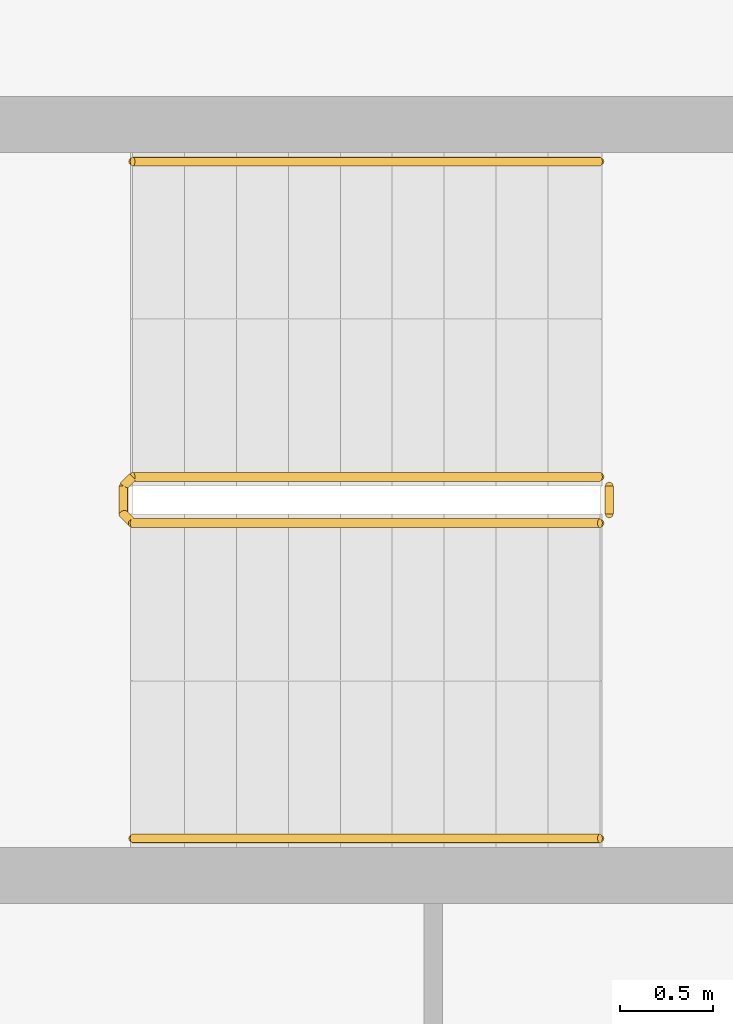
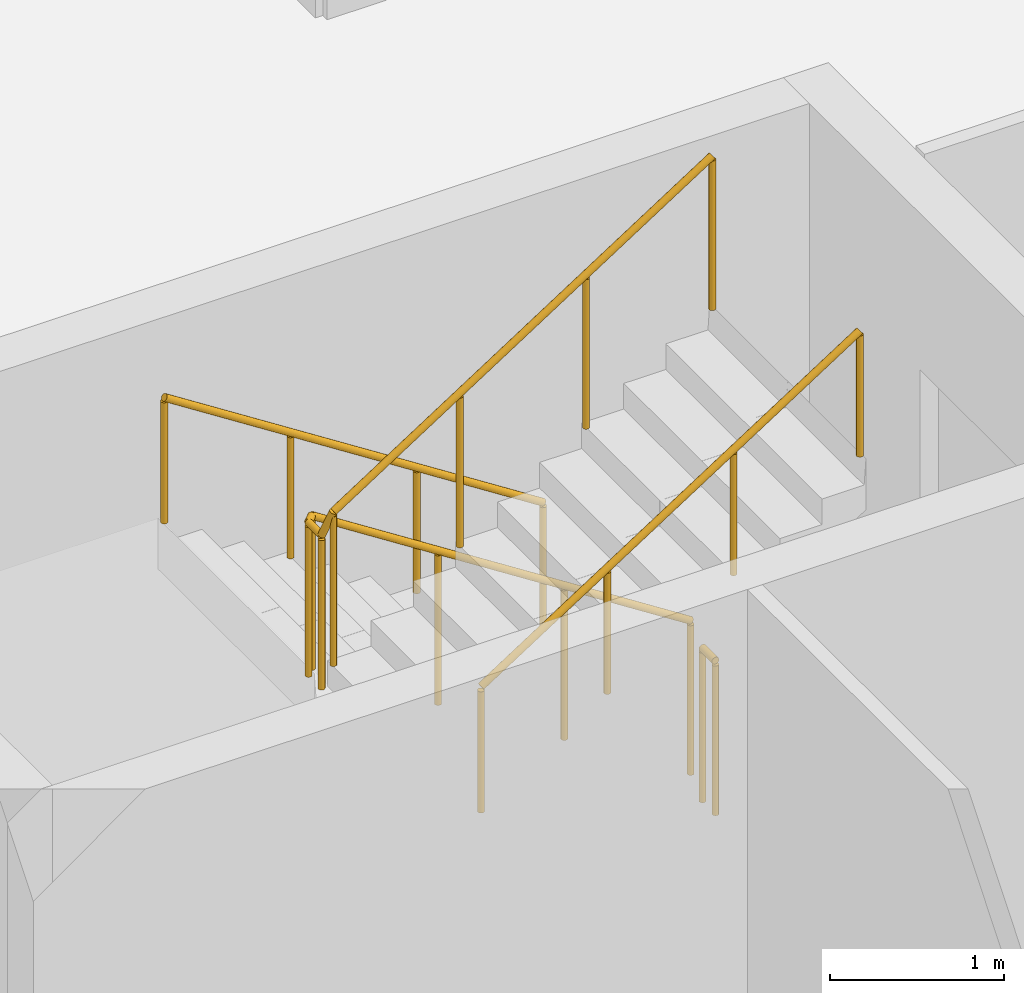
# One storey, part 24 of 27: 4 railings.
"""IFC4 building model written with IfcOpenShell, lengths in metres."""

from ifc_helpers import new_model, si_unit, direction, frame, origin, origin_2d, place, context, subcontext, project, spatial, circle, extrude, material, type_object, element, save


model = new_model("IFC4")

# Units and contexts
model_context = context("Model", 3, precision=1e-05, world=origin(), true_north=direction((0.0, 1.0)))
body_context = subcontext(model_context, "Body", "Model", "MODEL_VIEW")
ifc_project = project(units=[si_unit("LENGTHUNIT", "METRE"), si_unit("AREAUNIT", "SQUARE_METRE"), si_unit("VOLUMEUNIT", "CUBIC_METRE"), si_unit("PLANEANGLEUNIT", "RADIAN"), si_unit("MASSUNIT", "GRAM", prefix="KILO")], contexts=[model_context])

# Site, building, storey
site_placement = place(None, origin())
site = spatial("IfcSite", under=ifc_project, at=site_placement, CompositionType="ELEMENT")
building_placement = place(site_placement, origin())
building = spatial("IfcBuilding", under=site, at=building_placement, Name="Wharfspan Tower", CompositionType="ELEMENT")
storey_placement = place(building_placement, frame((0.0, 0.0, 84.699951)))
storey = spatial("IfcBuildingStorey", under=building, at=storey_placement, Name="L18", CompositionType="ELEMENT", Elevation=84.699951)

# Railings
ifc_material = material(Name="Steel S355J2", Category="steel")
railing_type_1 = type_object("IfcRailingType", Name="Stair guard 1100", PredefinedType="GUARDRAIL", material=ifc_material)
railing_1_placement = place(storey_placement, frame((6.899902, 22.625, 0.179932)))
element("IfcRailing", 1, at=railing_1_placement, inside=storey, type_object=railing_type_1, Name="L18 ST3 stair guard 1", PredefinedType="GUARDRAIL", context=body_context, shape_type="SweptSolid", body=[
    extrude(circle(Radius=0.023926, at=origin_2d()), frame((0.0, 0.0, 1.076172), z_axis=(-0.841163, 0.0, 0.540782), x_axis=(0.0, -1.0, 0.0)), (0.0, 0.0, 1.0), 2.99585),
    extrude(circle(Radius=0.023926, at=origin_2d()), frame((-2.52002, 0.0, 2.696289), z_axis=(-0.705376, -0.708834, 0.0), x_axis=(0.708834, -0.705376, 0.0)), (0.0, 0.0, 1.0), 0.070557),
    extrude(circle(Radius=0.023926, at=origin_2d()), frame((-2.569824, -0.050049, 2.696289), z_axis=(0.0, -1.0, 0.0), x_axis=(1.0, 0.0, 0.0)), (0.0, 0.0, 1.0), 0.149902),
    extrude(circle(Radius=0.023926, at=origin_2d()), frame((-2.569824, -0.199951, 2.696289), z_axis=(0.257669, -0.258932, 0.930892), x_axis=(0.708833, 0.705372, -1e-06)), (0.0, 0.0, 1.0), 0.193359),
    extrude(circle(Radius=0.023926, at=origin_2d()), frame((-2.52002, -0.25, 2.875977), z_axis=(0.841163, 0.0, 0.540782), x_axis=(0.0, 1.0, 0.0)), (0.0, 0.0, 1.0), 2.99585),
    extrude(circle(Radius=0.020996, at=origin_2d()), origin(), (0.0, 0.0, 1.0), 1.052002),
    extrude(circle(Radius=0.020996, at=origin_2d()), frame((-0.840088, 0.0, 0.540039)), (0.0, 0.0, 1.0), 1.052002),
    extrude(circle(Radius=0.020996, at=origin_2d()), frame((-1.679932, 0.0, 1.080078)), (0.0, 0.0, 1.0), 1.052002),
    extrude(circle(Radius=0.020996, at=origin_2d()), frame((-2.52002, 0.0, 1.620117)), (0.0, 0.0, 1.0), 1.052002),
    extrude(circle(Radius=0.020996, at=origin_2d()), frame((-2.569824, -0.050049, 1.620117)), (0.0, 0.0, 1.0), 1.052002),
    extrude(circle(Radius=0.020996, at=origin_2d()), frame((-2.569824, -0.199951, 1.620117)), (0.0, 0.0, 1.0), 1.052002),
    extrude(circle(Radius=0.020996, at=origin_2d()), frame((-2.52002, -0.25, 1.800049)), (0.0, 0.0, 1.0), 1.052002),
    extrude(circle(Radius=0.020996, at=origin_2d()), frame((-1.679932, -0.25, 2.340088)), (0.0, 0.0, 1.0), 1.052002),
    extrude(circle(Radius=0.020996, at=origin_2d()), frame((-0.840088, -0.25, 2.880127)), (0.0, 0.0, 1.0), 1.052002),
    extrude(circle(Radius=0.020996, at=origin_2d()), frame((0.0, -0.25, 3.420166)), (0.0, 0.0, 1.0), 1.052002),
])
railing_2_placement = place(storey_placement, frame((6.949951, 22.574951, 0.0)))
element("IfcRailing", 2, at=railing_2_placement, inside=storey, type_object=railing_type_1, Name="L18 ST3 stair guard 2", PredefinedType="GUARDRAIL", context=body_context, shape_type="SweptSolid", body=[
    extrude(circle(Radius=0.023926, at=origin_2d()), frame((0.0, 0.0, 1.076172), z_axis=(0.0, -1.0, 0.0), x_axis=(1.0, 0.0, 0.0)), (0.0, 0.0, 1.0), 0.149902),
    extrude(circle(Radius=0.020996, at=origin_2d()), origin(), (0.0, 0.0, 1.0), 1.052002),
    extrude(circle(Radius=0.020996, at=origin_2d()), frame((0.0, -0.149902, 0.0)), (0.0, 0.0, 1.0), 1.052002),
])
railing_type_2 = type_object("IfcRailingType", Name="Stair handrail 900", PredefinedType="HANDRAIL", material=ifc_material)
railing_3_placement = place(storey_placement, frame((6.899902, 24.324951, 0.179932)))
element("IfcRailing", 3, at=railing_3_placement, inside=storey, type_object=railing_type_2, Name="L18 ST3 stair handrail 1", PredefinedType="HANDRAIL", context=body_context, shape_type="SweptSolid", body=[
    extrude(circle(Radius=0.023926, at=origin_2d()), frame((0.0, 0.0, 0.875977), z_axis=(-0.841163, 0.0, 0.540782), x_axis=(0.0, -1.0, 0.0)), (0.0, 0.0, 1.0), 2.99585),
    extrude(circle(Radius=0.020996, at=origin_2d()), origin(), (0.0, 0.0, 1.0), 0.851807),
    extrude(circle(Radius=0.020996, at=origin_2d()), frame((-0.840088, 0.0, 0.540039)), (0.0, 0.0, 1.0), 0.851807),
    extrude(circle(Radius=0.020996, at=origin_2d()), frame((-1.679932, 0.0, 1.080078)), (0.0, 0.0, 1.0), 0.851807),
    extrude(circle(Radius=0.020996, at=origin_2d()), frame((-2.52002, 0.0, 1.620117)), (0.0, 0.0, 1.0), 0.851807),
])
railing_4_placement = place(storey_placement, frame((4.379883, 20.675049, 1.97998)))
element("IfcRailing", 4, at=railing_4_placement, inside=storey, type_object=railing_type_2, Name="L18 ST3 stair handrail 2", PredefinedType="HANDRAIL", context=body_context, shape_type="SweptSolid", body=[
    extrude(circle(Radius=0.023926, at=origin_2d()), frame((0.0, 0.0, 0.875977), z_axis=(0.841163, 0.0, 0.540782), x_axis=(0.0, 1.0, 0.0)), (0.0, 0.0, 1.0), 2.99585),
    extrude(circle(Radius=0.020996, at=origin_2d()), origin(), (0.0, 0.0, 1.0), 0.851807),
    extrude(circle(Radius=0.020996, at=origin_2d()), frame((0.840088, 0.0, 0.540039)), (0.0, 0.0, 1.0), 0.851807),
    extrude(circle(Radius=0.020996, at=origin_2d()), frame((1.679932, 0.0, 1.080078)), (0.0, 0.0, 1.0), 0.851807),
    extrude(circle(Radius=0.020996, at=origin_2d()), frame((2.52002, 0.0, 1.620117)), (0.0, 0.0, 1.0), 0.851807),
])

save(model, "model.ifc")
